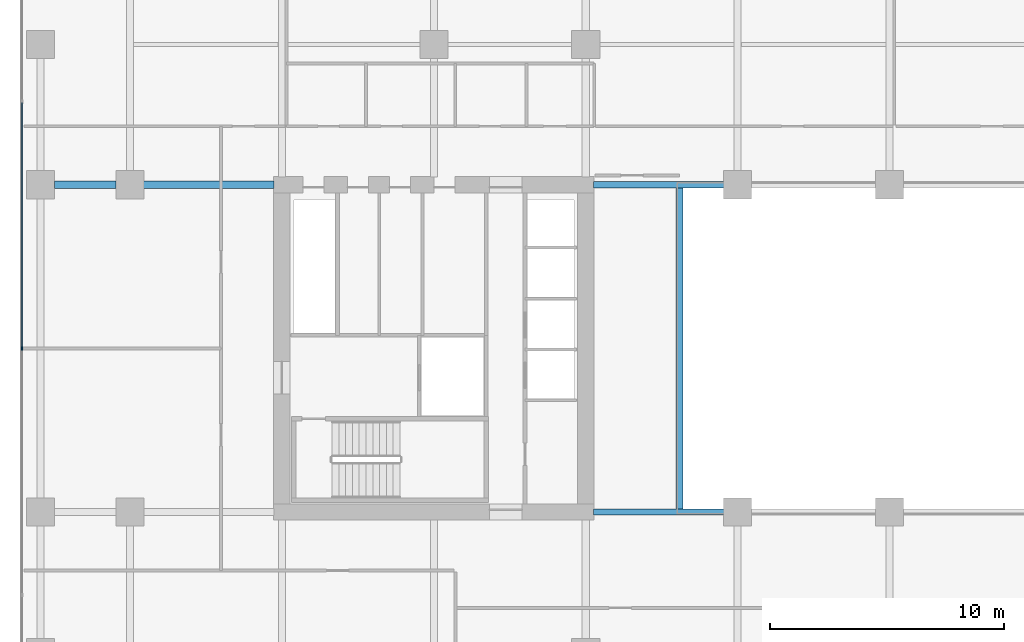
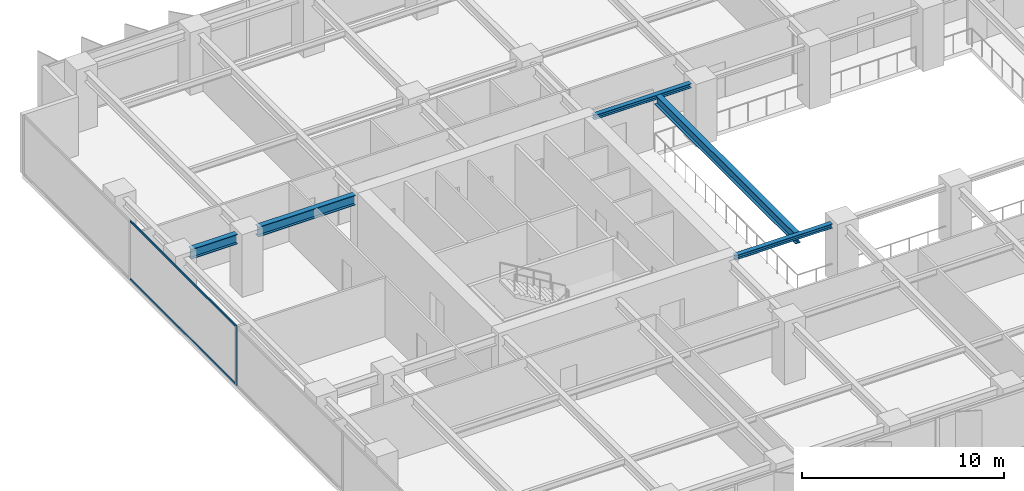
# One storey, part 4 of 20: 5 beams, 3 members, 1 element without a shape of its own.
"""IFC4 building model written with IfcOpenShell, lengths in metres."""

from ifc_helpers import new_model, si_unit, direction, frame, origin, origin_2d, place, context, subcontext, project, spatial, rectangle, i_section, extrude, material, layer, layer_set, material_profile, profile_set, type_object, element, aggregate, save


model = new_model("IFC4")

# Units and contexts
model_context = context("Model", 3, precision=1e-05, world=origin(), true_north=direction((0.0, 1.0)))
body_context = subcontext(model_context, "Body", "Model", "MODEL_VIEW")
ifc_project = project(units=[si_unit("LENGTHUNIT", "METRE"), si_unit("AREAUNIT", "SQUARE_METRE"), si_unit("VOLUMEUNIT", "CUBIC_METRE"), si_unit("PLANEANGLEUNIT", "RADIAN"), si_unit("MASSUNIT", "GRAM", prefix="KILO")], contexts=[model_context])

# Site, building, storey
site_placement = place(None, origin())
site = spatial("IfcSite", under=ifc_project, at=site_placement, CompositionType="ELEMENT")
building_placement = place(site_placement, origin())
building = spatial("IfcBuilding", under=site, at=building_placement, Name="Putna Gate Headquarters", CompositionType="ELEMENT")
storey_placement = place(building_placement, frame((0.0, 0.0, 108.800048828125)))
storey = spatial("IfcBuildingStorey", under=building, at=storey_placement, Name="L26", CompositionType="ELEMENT", Elevation=108.800048828125)

# Beams
ifc_material_1 = material(Name="Steel S355J2", Category="steel")
ifc_material_profile_1 = material_profile(ifc_material_1, i_section(OverallWidth=0.260009765625, OverallDepth=0.260009765625, WebThickness=0.010009765625, FlangeThickness=0.017578125, at=origin_2d()), Name="Steel S355J2")
ifc_profile_set_1 = profile_set([ifc_material_profile_1], Name="Steel S355J2")
beam_type_1 = type_object("IfcBeamType", Name="BM-ATRIUM-HEB260", PredefinedType="BEAM", material=ifc_profile_set_1)
for number, where, z_axis, x_axis, name in (
    (1, (26.3349609375, 19.0, 3.43505859375), (1.0, 0.0, 0.0), (0.0, 1.0, 0.0), "L26 Atrium Edge Beam AS1"),
    (2, (26.3349609375, 33.0, 3.43505859375), (1.0, 0.0, 0.0), (0.0, 1.0, 0.0), "L26 Atrium Edge Beam AN1"),
):
    element("IfcBeam", number, at=place(storey_placement, frame(where, z_axis=z_axis, x_axis=x_axis)), inside=storey, type_object=beam_type_1, Name=name, PredefinedType="BEAM", context=body_context, shape_type="SweptSolid", body=[
        extrude(i_section(OverallWidth=0.260009765625, OverallDepth=0.260009765625, WebThickness=0.010009765625, FlangeThickness=0.017578125, at=origin_2d()), origin(), (0.0, 0.0, 1.0), 5.5771484375),
    ])
ifc_material_profile_2 = material_profile(ifc_material_1, i_section(OverallWidth=0.300048828125, OverallDepth=0.60009765625, WebThickness=0.015380859375, FlangeThickness=0.030029296875, at=origin_2d()), Name="Steel S355J2")
ifc_profile_set_2 = profile_set([ifc_material_profile_2], Name="Steel S355J2")
beam_type_2 = type_object("IfcBeamType", Name="BM-GIRD-Z2-HEB600", PredefinedType="USERDEFINED", material=ifc_profile_set_2)
beam_1_placement = place(storey_placement, frame((3.26806640625, 33.0, 3.264892578125), z_axis=(1.0, 0.0, 0.0), x_axis=(0.0, 1.0, 0.0)))
element("IfcBeam", 3, at=beam_1_placement, inside=storey, type_object=beam_type_2, Name="L26 West Wing Girder Y33-1", ObjectType="GIRDER", PredefinedType="USERDEFINED", context=body_context, shape_type="SweptSolid", body=[
    extrude(i_section(OverallWidth=0.300048828125, OverallDepth=0.60009765625, WebThickness=0.015380859375, FlangeThickness=0.030029296875, at=origin_2d()), origin(), (0.0, 0.0, 1.0), 2.64404296875),
])
beam_2_placement = place(storey_placement, frame((7.087890625, 33.0, 3.264892578125), z_axis=(1.0, 0.0, 0.0), x_axis=(0.0, 1.0, 0.0)))
element("IfcBeam", 4, at=beam_2_placement, inside=storey, type_object=beam_type_2, Name="L26 West Wing Girder Y33-2", ObjectType="GIRDER", PredefinedType="USERDEFINED", context=body_context, shape_type="SweptSolid", body=[
    extrude(i_section(OverallWidth=0.300048828125, OverallDepth=0.60009765625, WebThickness=0.015380859375, FlangeThickness=0.030029296875, at=origin_2d()), origin(), (0.0, 0.0, 1.0), 5.5771484375),
])
beam_3_placement = place(storey_placement, frame((30.0, 19.010009765625, 3.264892578125), z_axis=(0.0, 1.0, 0.0), x_axis=(-1.0, 0.0, 0.0)))
element("IfcBeam", 5, at=beam_3_placement, inside=storey, type_object=beam_type_2, Name="L26 Atrium Trim Girder AW", ObjectType="GIRDER", PredefinedType="USERDEFINED", context=body_context, shape_type="SweptSolid", body=[
    extrude(i_section(OverallWidth=0.300048828125, OverallDepth=0.60009765625, WebThickness=0.015380859375, FlangeThickness=0.030029296875, at=origin_2d()), origin(), (0.0, 0.0, 1.0), 13.97998046875),
])

# Curtain wall, members
ifc_material_2 = material(Name="Anodised bronze aluminium curtain wall", Category="aluminium")
ifc_layer = layer(ifc_material_2, 0.159912109375)
ifc_layer_set = layer_set([ifc_layer], Name="Anodised bronze aluminium curtain wall")
curtain_wall_type = type_object("IfcCurtainWallType", Name="CW-SYS-Z2", PredefinedType="USERDEFINED", material=ifc_layer_set)
curtain_wall_placement = place(storey_placement, origin())
curtain_wall = element("IfcCurtainWall", 6, at=curtain_wall_placement, inside=storey, type_object=curtain_wall_type, Name="L26 West Curtain Wall", ObjectType="STICK CURTAIN WALL", PredefinedType="USERDEFINED")
ifc_material_3 = material(Name="Anodised bronze aluminium EN AW-6060", Category="aluminium")
ifc_material_profile_3 = material_profile(ifc_material_3, rectangle(XDim=0.06494140625, YDim=0.159912109375, at=origin_2d()), Name="Anodised bronze aluminium EN AW-6060")
ifc_profile_set_3 = profile_set([ifc_material_profile_3], Name="Anodised bronze aluminium EN AW-6060")
member_type_1 = type_object("IfcMemberType", Name="MULL-CWM-2", PredefinedType="MULLION", material=ifc_profile_set_3)
member_1_placement = place(storey_placement, frame((1.8798828125, 26.0, 0.0), z_axis=(0.0, 0.0, 1.0), x_axis=(-1.0, 0.0, 0.0)))
member_1 = element("IfcMember", 7, at=member_1_placement, type_object=member_type_1, Name="CWS-2 mullion 3", PredefinedType="MULLION", context=body_context, shape_type="SweptSolid", body=[
    extrude(rectangle(XDim=0.06494140625, YDim=0.159912109375, at=origin_2d()), origin(), (0.0, 0.0, 1.0), 3.56494140625),
])
ifc_material_profile_4 = material_profile(ifc_material_3, rectangle(XDim=0.06494140625, YDim=0.1201171875, at=origin_2d()), Name="Anodised bronze aluminium EN AW-6060")
ifc_profile_set_4 = profile_set([ifc_material_profile_4], Name="Anodised bronze aluminium EN AW-6060")
member_type_2 = type_object("IfcMemberType", Name="TRAN-CWT-2", PredefinedType="USERDEFINED", material=ifc_profile_set_4)
member_2_placement = place(storey_placement, frame((1.8798828125, 26.032470703125, 0.032470703125), z_axis=(0.0, 1.0, 0.0), x_axis=(-1.0, 0.0, 0.0)))
member_2 = element("IfcMember", 8, at=member_2_placement, type_object=member_type_2, Name="CWS-2 transom 3.1", ObjectType="TRANSOM", PredefinedType="USERDEFINED", context=body_context, shape_type="SweptSolid", body=[
    extrude(rectangle(XDim=0.06494140625, YDim=0.1201171875, at=origin_2d()), origin(), (0.0, 0.0, 1.0), 10.485107421875),
])
member_3_placement = place(storey_placement, frame((1.8798828125, 26.032470703125, 3.532470703125), z_axis=(0.0, 1.0, 0.0), x_axis=(-1.0, 0.0, 0.0)))
member_3 = element("IfcMember", 9, at=member_3_placement, type_object=member_type_2, Name="CWS-2 transom 3.2", ObjectType="TRANSOM", PredefinedType="USERDEFINED", context=body_context, shape_type="SweptSolid", body=[
    extrude(rectangle(XDim=0.06494140625, YDim=0.1201171875, at=origin_2d()), origin(), (0.0, 0.0, 1.0), 10.485107421875),
])
aggregate(curtain_wall, [member_1, member_2, member_3])

save(model, "model.ifc")
